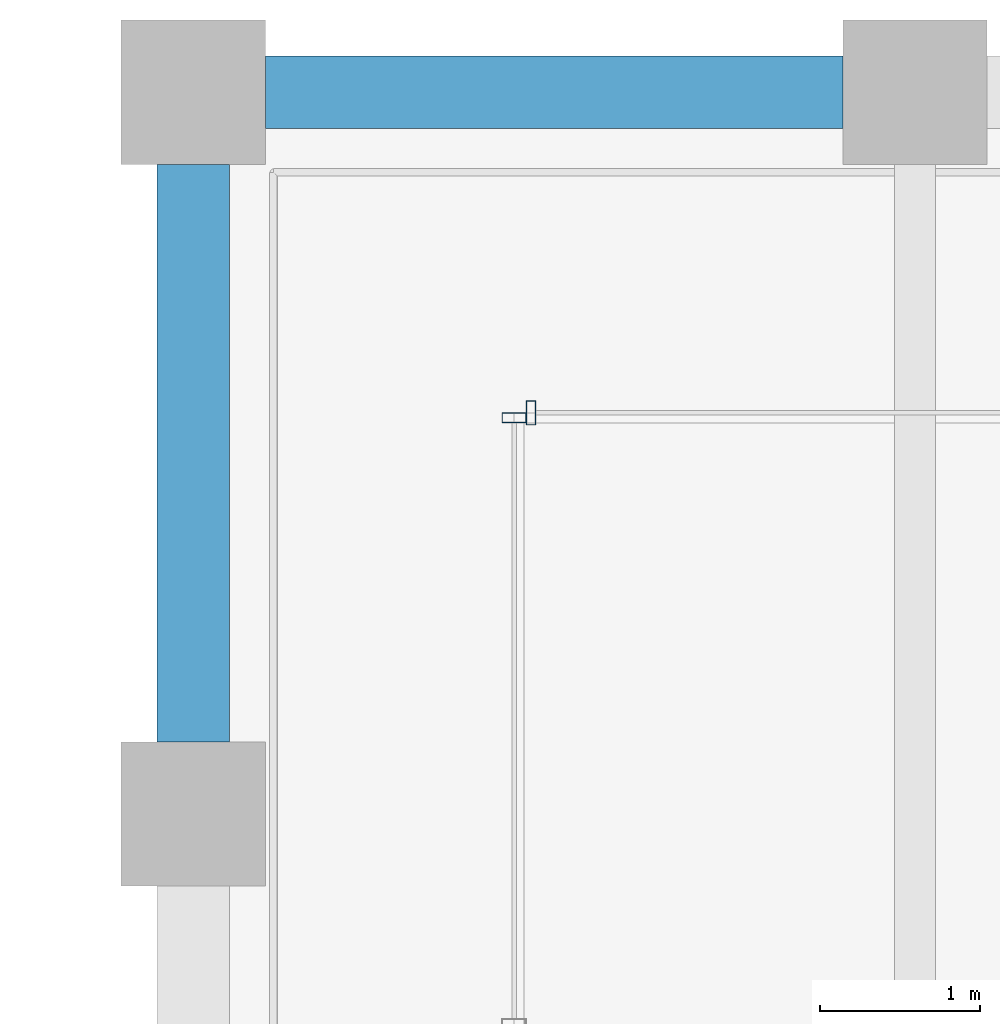
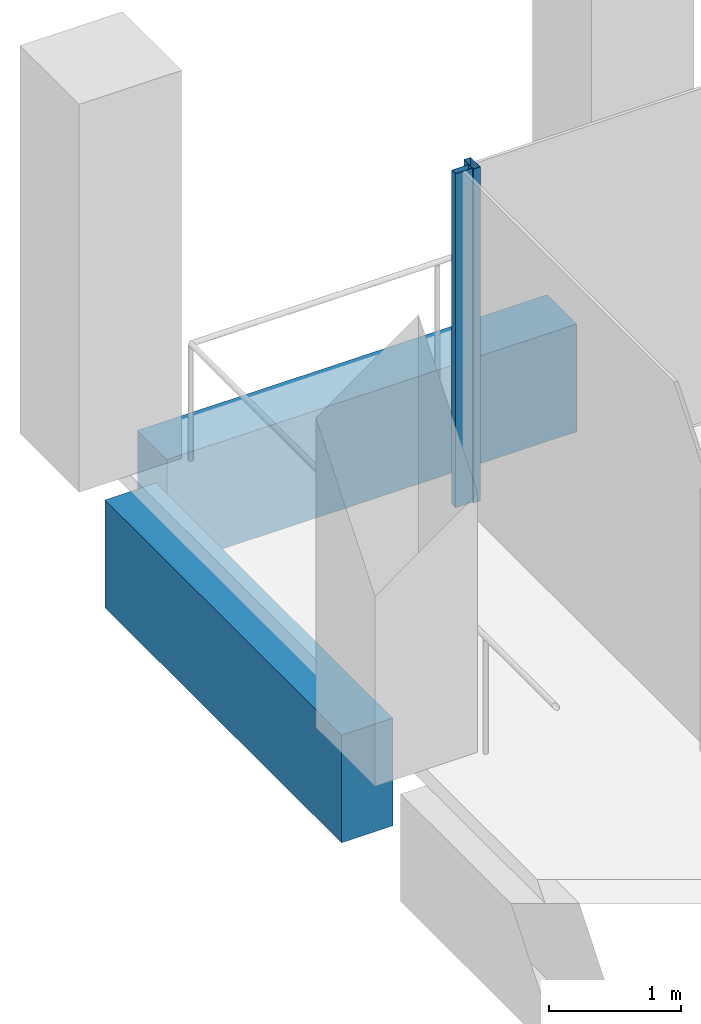
# One storey, part 21 of 40: 2 beams, 2 members, 2 elements without a shape of their own.
"""IFC4 building model written with IfcOpenShell, lengths in metres."""

from ifc_helpers import new_model, si_unit, direction, frame, origin, origin_2d, place, context, subcontext, project, spatial, rectangle, hollow_rectangle, extrude, material, material_profile, profile_set, type_object, element, aggregate, save


model = new_model("IFC4")

# Units and contexts
model_context = context("Model", 3, precision=1e-05, world=origin(), true_north=direction((0.0, 1.0)))
body_context = subcontext(model_context, "Body", "Model", "MODEL_VIEW")
ifc_project = project(units=[si_unit("LENGTHUNIT", "METRE"), si_unit("AREAUNIT", "SQUARE_METRE"), si_unit("VOLUMEUNIT", "CUBIC_METRE"), si_unit("PLANEANGLEUNIT", "RADIAN"), si_unit("MASSUNIT", "GRAM", prefix="KILO")], contexts=[model_context])

# Site, building, storey
site_placement = place(None, origin())
site = spatial("IfcSite", under=ifc_project, at=site_placement, CompositionType="ELEMENT")
building_placement = place(site_placement, origin())
building = spatial("IfcBuilding", under=site, at=building_placement, Name="Altepetl Exchange Towers", CompositionType="ELEMENT")
storey_placement = place(building_placement, frame((0.0, 0.0, 151.0)))
storey = spatial("IfcBuildingStorey", under=building, at=storey_placement, Name="L37", CompositionType="ELEMENT", Elevation=151.0)

# Curtain wall, member
ifc_material_1 = material(Name="Aluminium 6063-T6 glazing", Category="aluminium")
curtain_wall_type = type_object("IfcCurtainWallType", Name="Loggia glazing system", PredefinedType="NOTDEFINED", material=ifc_material_1)
curtain_wall_1_placement = place(storey_placement, origin())
curtain_wall_1 = element("IfcCurtainWall", 1, at=curtain_wall_1_placement, inside=storey, type_object=curtain_wall_type, Name="CW1 run", PredefinedType="NOTDEFINED")
ifc_material_2 = material(Name="Aluminium 6063-T6", Category="aluminium")
ifc_material_profile_1 = material_profile(ifc_material_2, hollow_rectangle(XDim=0.06005859375, YDim=0.14990234375, WallThickness=0.0029296875, at=origin_2d()), Name="Mullion 60x150 aluminium")
ifc_profile_set_1 = profile_set([ifc_material_profile_1], Name="Aluminium 6063-T6")
member_type = type_object("IfcMemberType", Name="Mullion 60x150 aluminium", PredefinedType="MULLION", material=ifc_profile_set_1)
member_1_placement = place(storey_placement, frame((42.60498046875, 70.0, 0.0), z_axis=(0.0, 0.0, 1.0), x_axis=(-1.0, 0.0, 0.0)))
member_1 = element("IfcMember", 2, at=member_1_placement, type_object=member_type, Name="MU1 mullion", PredefinedType="MULLION", context=body_context, shape_type="SweptSolid", body=[
    extrude(hollow_rectangle(XDim=0.06005859375, YDim=0.14990234375, WallThickness=0.0029296875, at=origin_2d()), origin(), (0.0, 0.0, 1.0), 3.10009765625),
])
aggregate(curtain_wall_1, [member_1])

curtain_wall_2_placement = place(storey_placement, origin())
curtain_wall_2 = element("IfcCurtainWall", 3, at=curtain_wall_2_placement, inside=storey, type_object=curtain_wall_type, Name="CW1 run", PredefinedType="NOTDEFINED")
member_2_placement = place(storey_placement, frame((42.5, 69.969970703125, 0.0), z_axis=(0.0, 0.0, 1.0), x_axis=(0.0, -1.0, 0.0)))
member_2 = element("IfcMember", 4, at=member_2_placement, type_object=member_type, Name="MU1 mullion", PredefinedType="MULLION", context=body_context, shape_type="SweptSolid", body=[
    extrude(hollow_rectangle(XDim=0.06005859375, YDim=0.14990234375, WallThickness=0.0029296875, at=origin_2d()), origin(), (0.0, 0.0, 1.0), 3.10009765625),
])
aggregate(curtain_wall_2, [member_2])

# Beams
ifc_material_3 = material(Name="Concrete C50/60 precast with cantera rosa facing", Category="concrete")
ifc_material_profile_2 = material_profile(ifc_material_3, rectangle(XDim=0.449951171875, YDim=1.0, at=origin_2d()), Name="450 x 1000")
ifc_profile_set_2 = profile_set([ifc_material_profile_2], Name="Concrete C50/60 precast with cantera rosa facing")
beam_type_1 = type_object("IfcBeamType", Name="Spandrel beam 450x1000 cantera rosa", PredefinedType="SPANDREL", material=ifc_profile_set_2)
beam_1_placement = place(storey_placement, frame((44.550048828125, 72.0, -0.64990234375), z_axis=(-1.0, 0.0, 0.0), x_axis=(0.0, -1.0, 0.0)))
element("IfcBeam", 5, at=beam_1_placement, inside=storey, type_object=beam_type_1, Name="sp:A:L37:029", PredefinedType="SPANDREL", context=body_context, shape_type="SweptSolid", body=[
    extrude(rectangle(XDim=0.449951171875, YDim=1.0, at=origin_2d()), origin(), (0.0, 0.0, 1.0), 3.60009765625),
])
ifc_material_4 = material(Name="Concrete C50/60 precast with tezontle facing", Category="concrete")
ifc_material_profile_3 = material_profile(ifc_material_4, rectangle(XDim=0.449951171875, YDim=1.0, at=origin_2d()), Name="450 x 1000")
ifc_profile_set_3 = profile_set([ifc_material_profile_3], Name="Concrete C50/60 precast with tezontle facing")
beam_type_2 = type_object("IfcBeamType", Name="Spandrel beam 450x1000 tezontle", PredefinedType="SPANDREL", material=ifc_profile_set_3)
beam_2_placement = place(storey_placement, frame((40.5, 71.550048828125, -0.64990234375), z_axis=(0.0, -1.0, 0.0), x_axis=(1.0, 0.0, 0.0)))
element("IfcBeam", 6, at=beam_2_placement, inside=storey, type_object=beam_type_2, Name="sp:A:L37:030", PredefinedType="SPANDREL", context=body_context, shape_type="SweptSolid", body=[
    extrude(rectangle(XDim=0.449951171875, YDim=1.0, at=origin_2d()), origin(), (0.0, 0.0, 1.0), 3.60009765625),
])

save(model, "model.ifc")
